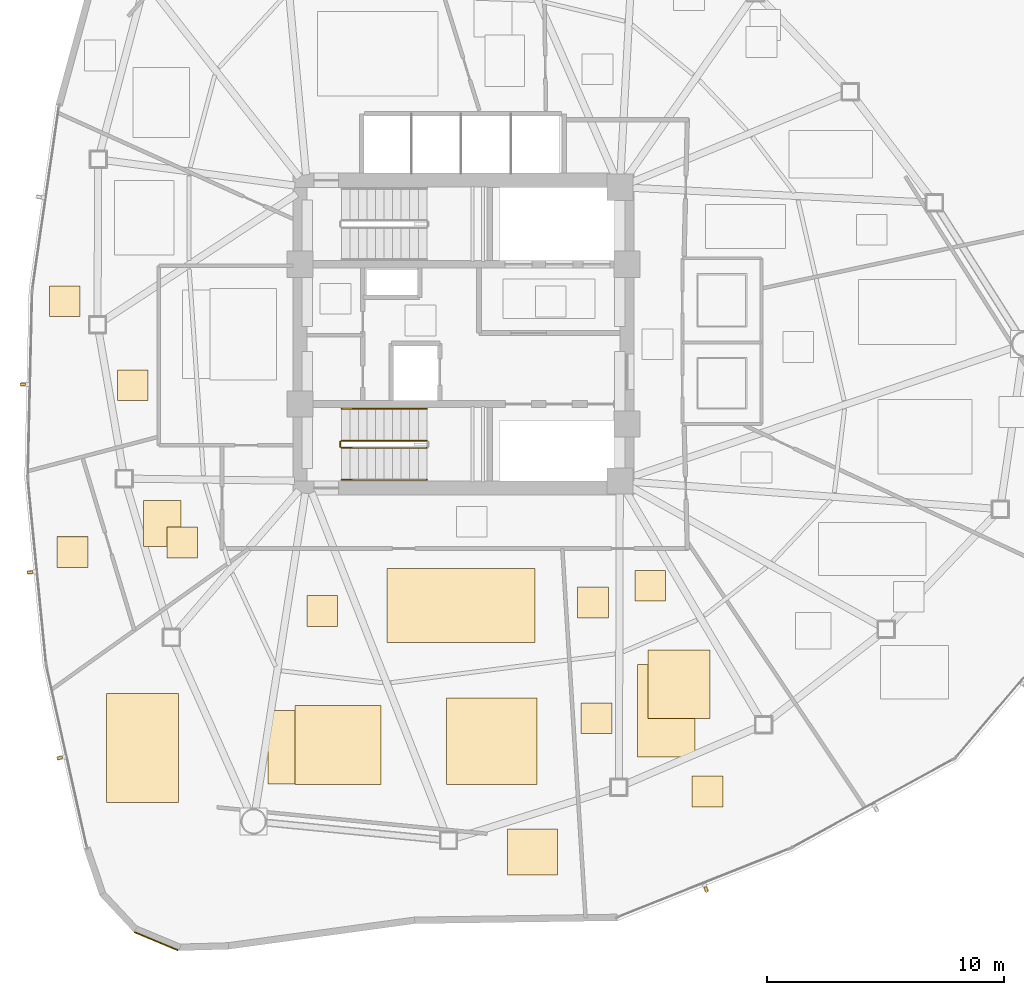
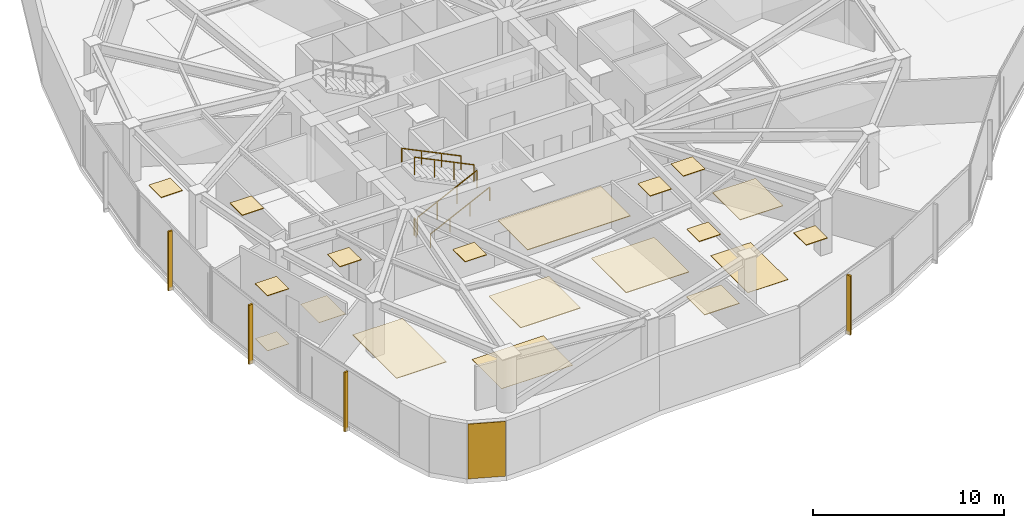
# One storey, part 13 of 16: 20 coverings, 5 railings, 4 shading devices.
"""IFC4 building model written with IfcOpenShell, lengths in metres."""

from ifc_helpers import new_model, si_unit, direction, frame, origin, origin_2d, place, context, subcontext, project, spatial, polyline, rectangle, outline, extrude, source, transform, mapped, material, layer, layer_set, type_object, type_shapes, element, save


model = new_model("IFC4")

# Units and contexts
model_context = context("Model", 3, precision=1e-05, world=origin(), true_north=direction((0.0, 1.0)))
body_context = subcontext(model_context, "Body", "Model", "MODEL_VIEW")
ifc_project = project(units=[si_unit("LENGTHUNIT", "METRE"), si_unit("AREAUNIT", "SQUARE_METRE"), si_unit("VOLUMEUNIT", "CUBIC_METRE"), si_unit("PLANEANGLEUNIT", "RADIAN"), si_unit("MASSUNIT", "GRAM", prefix="KILO")], contexts=[model_context])

# Site, building, storey
site_placement = place(None, origin())
site = spatial("IfcSite", under=ifc_project, at=site_placement, CompositionType="ELEMENT")
building_placement = place(site_placement, origin())
building = spatial("IfcBuilding", under=site, at=building_placement, Name="Tavelor Broadcast Tower", CompositionType="ELEMENT")
storey_placement = place(building_placement, frame((0.0, 0.0, 138.699951171875)))
storey = spatial("IfcBuildingStorey", under=building, at=storey_placement, Name="L32", CompositionType="ELEMENT", Elevation=138.699951171875)

# Covering
ifc_material_1 = material(Name="Copper-Bronze Anodized Aluminium", Category="aluminium")
ifc_layer_1 = layer(ifc_material_1, 0.050048828125)
ifc_layer_set_1 = layer_set([ifc_layer_1], Name="Copper-Bronze Anodized Aluminium")
covering_type_1 = type_object("IfcCoveringType", Name="Champagne-Bronze Corner Pier Metal Cladding 50 mm", PredefinedType="CLADDING", material=ifc_layer_set_1)
covering_1_placement = place(storey_placement, frame((37.025146484375, 19.365966796875, 0.02001953125), z_axis=(0.0, 0.0, 1.0), x_axis=(0.922874504689, -0.385100829128, 0.0)))
element("IfcCovering", 1, at=covering_1_placement, inside=storey, type_object=covering_type_1, Name="L32 Champagne-Bronze Corner Cladding 13", PredefinedType="CLADDING", context=body_context, shape_type="SweptSolid", body=[
    extrude(rectangle(XDim=1.985107421875, YDim=0.050048828125, at=origin_2d()), origin(), (0.0, 0.0, 1.0), 3.510009765625),
])

# Railings
ifc_material_2 = material(Name="Steel S355", Category="steel")
railing_type_1 = type_object("IfcRailingType", Name="Continuous Brushed Stainless Handrail 900 mm", PredefinedType="HANDRAIL", material=ifc_material_2)
railing_1_placement = place(storey_placement, frame((44.85009765625, 38.85009765625, 0.175048828125)))
element("IfcRailing", 2, at=railing_1_placement, inside=storey, type_object=railing_type_1, Name="L32 ST2 stair handrail 1", PredefinedType="HANDRAIL", context=body_context, shape_type="SweptSolid", body=[
    extrude(rectangle(XDim=0.048095703125, YDim=0.048095703125, at=origin_2d()), frame((0.0, 0.0, 0.8759765625), z_axis=(0.899360859046, 0.0, 0.437207096483), x_axis=(0.0, 1.0, 0.0)), (0.0, 0.0, 1.0), 4.002685546875),
    extrude(rectangle(XDim=0.0419921875, YDim=0.0419921875, at=origin_2d()), origin(), (0.0, 0.0, 1.0), 0.851806640625),
    extrude(rectangle(XDim=0.0419921875, YDim=0.0419921875, at=origin_2d()), frame((1.199951171875, 0.0, 0.583251953125)), (0.0, 0.0, 1.0), 0.851806640625),
    extrude(rectangle(XDim=0.0419921875, YDim=0.0419921875, at=origin_2d()), frame((2.39990234375, 0.0, 1.166748046875)), (0.0, 0.0, 1.0), 0.851806640625),
    extrude(rectangle(XDim=0.0419921875, YDim=0.0419921875, at=origin_2d()), frame((3.599853515625, 0.0, 1.75)), (0.0, 0.0, 1.0), 0.851806640625),
])
railing_2_placement = place(storey_placement, frame((48.449951171875, 41.85009765625, 2.10009765625)))
element("IfcRailing", 3, at=railing_2_placement, inside=storey, type_object=railing_type_1, Name="L32 ST2 stair handrail 2", PredefinedType="HANDRAIL", context=body_context, shape_type="SweptSolid", body=[
    extrude(rectangle(XDim=0.048095703125, YDim=0.048095703125, at=origin_2d()), frame((0.0, 0.0, 0.8759765625), z_axis=(-0.899360859046, 0.0, 0.437207096483), x_axis=(0.0, -1.0, 0.0)), (0.0, 0.0, 1.0), 4.002685546875),
    extrude(rectangle(XDim=0.0419921875, YDim=0.0419921875, at=origin_2d()), origin(), (0.0, 0.0, 1.0), 0.851806640625),
    extrude(rectangle(XDim=0.0419921875, YDim=0.0419921875, at=origin_2d()), frame((-1.199951171875, 0.0, 0.583251953125)), (0.0, 0.0, 1.0), 0.851806640625),
    extrude(rectangle(XDim=0.0419921875, YDim=0.0419921875, at=origin_2d()), frame((-2.39990234375, 0.0, 1.166748046875)), (0.0, 0.0, 1.0), 0.851806640625),
    extrude(rectangle(XDim=0.0419921875, YDim=0.0419921875, at=origin_2d()), frame((-3.599853515625, 0.0, 1.75)), (0.0, 0.0, 1.0), 0.851806640625),
])

# Coverings
ifc_material_3 = material(Name="Acoustic Nylon Carpet Tile")
ifc_layer_2 = layer(ifc_material_3, 0.02001953125)
ifc_layer_set_2 = layer_set([ifc_layer_2], Name="Acoustic Nylon Carpet Tile")
covering_type_2 = type_object("IfcCoveringType", Name="Heavy-Duty Acoustic Broadcast Carpet Tile 20 mm", PredefinedType="FLOORING", material=ifc_layer_set_2)
covering_2_placement = place(storey_placement, origin())
element("IfcCovering", 4, at=covering_2_placement, inside=storey, type_object=covering_type_2, Name="L32 Broadcast Floor Finish 0454", PredefinedType="FLOORING", context=body_context, shape_type="SweptSolid", body=[
    extrude(outline(polyline([(57.34228515625, 27.146240234375), (59.770263671875, 27.146240234375), (59.770263671875, 31.05419921875), (57.34228515625, 31.05419921875), (57.34228515625, 27.146240234375)])), origin(), (0.0, 0.0, 1.0), 0.02001953125),
])
covering_3_placement = place(storey_placement, origin())
element("IfcCovering", 5, at=covering_3_placement, inside=storey, type_object=covering_type_2, Name="L32 Broadcast Floor Finish 0455", PredefinedType="FLOORING", context=body_context, shape_type="SweptSolid", body=[
    extrude(outline(polyline([(41.755859375, 25.99462890625), (46.07421875, 25.99462890625), (46.07421875, 29.103759765625), (41.755859375, 29.103759765625), (41.755859375, 25.99462890625)])), origin(), (0.0, 0.0, 1.0), 0.02001953125),
])
covering_4_placement = place(storey_placement, origin())
element("IfcCovering", 6, at=covering_4_placement, inside=storey, type_object=covering_type_2, Name="L32 Broadcast Floor Finish 0456", PredefinedType="FLOORING", context=body_context, shape_type="SweptSolid", body=[
    extrude(outline(polyline([(32.839599609375, 35.138427734375), (34.1396484375, 35.138427734375), (34.1396484375, 36.4384765625), (32.839599609375, 36.4384765625), (32.839599609375, 35.138427734375)])), origin(), (0.0, 0.0, 1.0), 0.02001953125),
])
covering_5_placement = place(storey_placement, origin())
element("IfcCovering", 7, at=covering_5_placement, inside=storey, type_object=covering_type_2, Name="L32 Broadcast Floor Finish 0461", PredefinedType="FLOORING", context=body_context, shape_type="SweptSolid", body=[
    extrude(outline(polyline([(36.478515625, 36.023681640625), (38.074951171875, 36.023681640625), (38.074951171875, 37.97216796875), (36.478515625, 37.97216796875), (36.478515625, 36.023681640625)])), origin(), (0.0, 0.0, 1.0), 0.02001953125),
])

# Railings
railing_type_2 = type_object("IfcRailingType", Name="Stairwell Steel Safety Guardrail 1150 mm", PredefinedType="GUARDRAIL", material=ifc_material_2)
railing_3_placement = place(storey_placement, frame((44.85009765625, 40.199951171875, 0.175048828125)))
element("IfcRailing", 8, at=railing_3_placement, inside=storey, type_object=railing_type_2, Name="L32 ST2 stair guard 1", PredefinedType="GUARDRAIL", context=body_context, shape_type="SweptSolid", body=[
    extrude(rectangle(XDim=0.048095703125, YDim=0.048095703125, at=origin_2d()), frame((0.0, 0.0, 1.1259765625), z_axis=(0.899360859046, 0.0, 0.437207096483), x_axis=(0.0, 1.0, 0.0)), (0.0, 0.0, 1.0), 4.002685546875),
    extrude(rectangle(XDim=0.0419921875, YDim=0.0419921875, at=origin_2d()), origin(), (0.0, 0.0, 1.0), 1.101806640625),
    extrude(rectangle(XDim=0.0419921875, YDim=0.0419921875, at=origin_2d()), frame((1.199951171875, 0.0, 0.583251953125)), (0.0, 0.0, 1.0), 1.101806640625),
    extrude(rectangle(XDim=0.0419921875, YDim=0.0419921875, at=origin_2d()), frame((2.39990234375, 0.0, 1.166748046875)), (0.0, 0.0, 1.0), 1.101806640625),
    extrude(rectangle(XDim=0.0419921875, YDim=0.0419921875, at=origin_2d()), frame((3.599853515625, 0.0, 1.75)), (0.0, 0.0, 1.0), 1.101806640625),
])
railing_4_placement = place(storey_placement, frame((48.449951171875, 40.5, 2.10009765625)))
element("IfcRailing", 9, at=railing_4_placement, inside=storey, type_object=railing_type_2, Name="L32 ST2 stair guard 3", PredefinedType="GUARDRAIL", context=body_context, shape_type="SweptSolid", body=[
    extrude(rectangle(XDim=0.048095703125, YDim=0.048095703125, at=origin_2d()), frame((0.0, 0.0, 1.1259765625), z_axis=(-0.899360859046, 0.0, 0.437207096483), x_axis=(0.0, -1.0, 0.0)), (0.0, 0.0, 1.0), 4.002685546875),
    extrude(rectangle(XDim=0.0419921875, YDim=0.0419921875, at=origin_2d()), origin(), (0.0, 0.0, 1.0), 1.101806640625),
    extrude(rectangle(XDim=0.0419921875, YDim=0.0419921875, at=origin_2d()), frame((-1.199951171875, 0.0, 0.583251953125)), (0.0, 0.0, 1.0), 1.101806640625),
    extrude(rectangle(XDim=0.0419921875, YDim=0.0419921875, at=origin_2d()), frame((-2.39990234375, 0.0, 1.166748046875)), (0.0, 0.0, 1.0), 1.101806640625),
    extrude(rectangle(XDim=0.0419921875, YDim=0.0419921875, at=origin_2d()), frame((-3.599853515625, 0.0, 1.75)), (0.0, 0.0, 1.0), 1.101806640625),
])
railing_5_placement = place(storey_placement, frame((44.800048828125, 40.25, 0.0)))
element("IfcRailing", 10, at=railing_5_placement, inside=storey, type_object=railing_type_2, Name="L32 ST2 stair guard 4", PredefinedType="GUARDRAIL", context=body_context, shape_type="SweptSolid", body=[
    extrude(rectangle(XDim=0.048095703125, YDim=0.048095703125, at=origin_2d()), frame((0.0, 0.0, 1.1259765625), z_axis=(0.0, 1.0, 0.0), x_axis=(-1.0, 0.0, 0.0)), (0.0, 0.0, 1.0), 0.199951171875),
    extrude(rectangle(XDim=0.0419921875, YDim=0.0419921875, at=origin_2d()), origin(), (0.0, 0.0, 1.0), 1.101806640625),
    extrude(rectangle(XDim=0.0419921875, YDim=0.0419921875, at=origin_2d()), frame((0.0, 0.199951171875, 0.0)), (0.0, 0.0, 1.0), 1.101806640625),
])

# Coverings
ifc_material_4 = material(Name="Acoustic Mineral Fibre Tile")
ifc_layer_3 = layer(ifc_material_4, 0.0400390625)
ifc_layer_set_3 = layer_set([ifc_layer_3], Name="Acoustic Mineral Fibre Tile")
covering_type_3 = type_object("IfcCoveringType", Name="Suspended Acoustic Mineral-Fibre Office Ceiling 40 mm", PredefinedType="CEILING", material=ifc_layer_set_3)
covering_6_placement = place(storey_placement, frame((0.0, 0.0, 3.510009765625)))
element("IfcCovering", 11, at=covering_6_placement, inside=storey, type_object=covering_type_3, Name="L32 Suspended Acoustic Ceiling 1297", PredefinedType="CEILING", context=body_context, shape_type="SweptSolid", body=[
    extrude(outline(polyline([(59.65087890625, 25.038330078125), (60.950927734375, 25.038330078125), (60.950927734375, 26.33837890625), (59.65087890625, 26.33837890625), (59.65087890625, 25.038330078125)])), origin(), (0.0, 0.0, 1.0), 0.0400390625),
])
covering_7_placement = place(storey_placement, frame((0.0, 0.0, 3.510009765625)))
element("IfcCovering", 12, at=covering_7_placement, inside=storey, type_object=covering_type_3, Name="L32 Suspended Acoustic Ceiling 1298", PredefinedType="CEILING", context=body_context, shape_type="SweptSolid", body=[
    extrude(outline(polyline([(54.960693359375, 28.1279296875), (56.260498046875, 28.1279296875), (56.260498046875, 29.427978515625), (54.960693359375, 29.427978515625), (54.960693359375, 28.1279296875)])), origin(), (0.0, 0.0, 1.0), 0.0400390625),
])
covering_8_placement = place(storey_placement, frame((0.0, 0.0, 3.510009765625)))
element("IfcCovering", 13, at=covering_8_placement, inside=storey, type_object=covering_type_3, Name="L32 Suspended Acoustic Ceiling 1299", PredefinedType="CEILING", context=body_context, shape_type="SweptSolid", body=[
    extrude(outline(polyline([(54.813720703125, 33.01953125), (56.113525390625, 33.01953125), (56.113525390625, 34.319580078125), (54.813720703125, 34.319580078125), (54.813720703125, 33.01953125)])), origin(), (0.0, 0.0, 1.0), 0.0400390625),
])
covering_9_placement = place(storey_placement, frame((0.0, 0.0, 3.510009765625)))
element("IfcCovering", 14, at=covering_9_placement, inside=storey, type_object=covering_type_3, Name="L32 Suspended Acoustic Ceiling 1300", PredefinedType="CEILING", context=body_context, shape_type="SweptSolid", body=[
    extrude(outline(polyline([(57.23193359375, 33.720703125), (58.531982421875, 33.720703125), (58.531982421875, 35.0205078125), (57.23193359375, 35.0205078125), (57.23193359375, 33.720703125)])), origin(), (0.0, 0.0, 1.0), 0.0400390625),
])
covering_10_placement = place(storey_placement, frame((0.0, 0.0, 3.510009765625)))
element("IfcCovering", 15, at=covering_10_placement, inside=storey, type_object=covering_type_3, Name="L32 Suspended Acoustic Ceiling 1301", PredefinedType="CEILING", context=body_context, shape_type="SweptSolid", body=[
    extrude(outline(polyline([(57.797607421875, 28.764892578125), (60.40673828125, 28.764892578125), (60.40673828125, 31.652099609375), (57.797607421875, 31.652099609375), (57.797607421875, 28.764892578125)])), origin(), (0.0, 0.0, 1.0), 0.0400390625),
])
covering_11_placement = place(storey_placement, frame((0.0, 0.0, 3.510009765625)))
element("IfcCovering", 16, at=covering_11_placement, inside=storey, type_object=covering_type_3, Name="L32 Suspended Acoustic Ceiling 1302", PredefinedType="CEILING", context=body_context, shape_type="SweptSolid", body=[
    extrude(outline(polyline([(34.9345703125, 25.22509765625), (37.95947265625, 25.22509765625), (37.95947265625, 29.8203125), (34.9345703125, 29.8203125), (34.9345703125, 25.22509765625)])), origin(), (0.0, 0.0, 1.0), 0.0400390625),
])
covering_12_placement = place(storey_placement, frame((0.0, 0.0, 3.510009765625)))
element("IfcCovering", 17, at=covering_12_placement, inside=storey, type_object=covering_type_3, Name="L32 Suspended Acoustic Ceiling 1303", PredefinedType="CEILING", context=body_context, shape_type="SweptSolid", body=[
    extrude(outline(polyline([(43.39013671875, 32.662353515625), (44.690185546875, 32.662353515625), (44.690185546875, 33.96240234375), (43.39013671875, 33.96240234375), (43.39013671875, 32.662353515625)])), origin(), (0.0, 0.0, 1.0), 0.0400390625),
])
covering_13_placement = place(storey_placement, frame((0.0, 0.0, 3.510009765625)))
element("IfcCovering", 18, at=covering_13_placement, inside=storey, type_object=covering_type_3, Name="L32 Suspended Acoustic Ceiling 1304", PredefinedType="CEILING", context=body_context, shape_type="SweptSolid", body=[
    extrude(outline(polyline([(46.772216796875, 31.96875), (53.010498046875, 31.96875), (53.010498046875, 35.09521484375), (46.772216796875, 35.09521484375), (46.772216796875, 31.96875)])), origin(), (0.0, 0.0, 1.0), 0.0400390625),
])
covering_14_placement = place(storey_placement, frame((0.0, 0.0, 3.510009765625)))
element("IfcCovering", 19, at=covering_14_placement, inside=storey, type_object=covering_type_3, Name="L32 Suspended Acoustic Ceiling 1305", PredefinedType="CEILING", context=body_context, shape_type="SweptSolid", body=[
    extrude(outline(polyline([(49.29248046875, 25.986083984375), (53.099365234375, 25.986083984375), (53.099365234375, 29.63671875), (49.29248046875, 29.63671875), (49.29248046875, 25.986083984375)])), origin(), (0.0, 0.0, 1.0), 0.0400390625),
])
covering_15_placement = place(storey_placement, frame((0.0, 0.0, 3.510009765625)))
element("IfcCovering", 20, at=covering_15_placement, inside=storey, type_object=covering_type_3, Name="L32 Suspended Acoustic Ceiling 1306", PredefinedType="CEILING", context=body_context, shape_type="SweptSolid", body=[
    extrude(outline(polyline([(51.84814453125, 22.16796875), (53.9638671875, 22.16796875), (53.9638671875, 24.096923828125), (51.84814453125, 24.096923828125), (51.84814453125, 22.16796875)])), origin(), (0.0, 0.0, 1.0), 0.0400390625),
])
covering_16_placement = place(storey_placement, frame((0.0, 0.0, 3.510009765625)))
element("IfcCovering", 21, at=covering_16_placement, inside=storey, type_object=covering_type_3, Name="L32 Suspended Acoustic Ceiling 1307", PredefinedType="CEILING", context=body_context, shape_type="SweptSolid", body=[
    extrude(outline(polyline([(42.89306640625, 25.97314453125), (46.523193359375, 25.97314453125), (46.523193359375, 29.3203125), (42.89306640625, 29.3203125), (42.89306640625, 25.97314453125)])), origin(), (0.0, 0.0, 1.0), 0.0400390625),
])
covering_17_placement = place(storey_placement, frame((0.0, 0.0, 3.510009765625)))
element("IfcCovering", 22, at=covering_17_placement, inside=storey, type_object=covering_type_3, Name="L32 Suspended Acoustic Ceiling 1308", PredefinedType="CEILING", context=body_context, shape_type="SweptSolid", body=[
    extrude(outline(polyline([(32.840576171875, 35.15380859375), (34.140380859375, 35.15380859375), (34.140380859375, 36.45361328125), (32.840576171875, 36.45361328125), (32.840576171875, 35.15380859375)])), origin(), (0.0, 0.0, 1.0), 0.0400390625),
])
covering_18_placement = place(storey_placement, frame((0.0, 0.0, 3.510009765625)))
element("IfcCovering", 23, at=covering_18_placement, inside=storey, type_object=covering_type_3, Name="L32 Suspended Acoustic Ceiling 1309", PredefinedType="CEILING", context=body_context, shape_type="SweptSolid", body=[
    extrude(outline(polyline([(32.509521484375, 45.73291015625), (33.809326171875, 45.73291015625), (33.809326171875, 47.032958984375), (32.509521484375, 47.032958984375), (32.509521484375, 45.73291015625)])), origin(), (0.0, 0.0, 1.0), 0.0400390625),
])
covering_19_placement = place(storey_placement, frame((0.0, 0.0, 3.510009765625)))
element("IfcCovering", 24, at=covering_19_placement, inside=storey, type_object=covering_type_3, Name="L32 Suspended Acoustic Ceiling 1311", PredefinedType="CEILING", context=body_context, shape_type="SweptSolid", body=[
    extrude(outline(polyline([(35.3818359375, 42.193115234375), (36.681884765625, 42.193115234375), (36.681884765625, 43.4931640625), (35.3818359375, 43.4931640625), (35.3818359375, 42.193115234375)])), origin(), (0.0, 0.0, 1.0), 0.0400390625),
])
covering_20_placement = place(storey_placement, frame((0.0, 0.0, 3.510009765625)))
element("IfcCovering", 25, at=covering_20_placement, inside=storey, type_object=covering_type_3, Name="L32 Suspended Acoustic Ceiling 1333", PredefinedType="CEILING", context=body_context, shape_type="SweptSolid", body=[
    extrude(outline(polyline([(37.4755859375, 35.554443359375), (38.775634765625, 35.554443359375), (38.775634765625, 36.8544921875), (37.4755859375, 36.8544921875), (37.4755859375, 35.554443359375)])), origin(), (0.0, 0.0, 1.0), 0.0400390625),
])

# Shading devices
ifc_material_5 = material(Name="Kiln-Fired Glazed Terracotta", Category="masonry")
shading_device_type = type_object("IfcShadingDeviceType", Name="Extruded Terracotta Baguette Sun-Screen 110x240", PredefinedType="JALOUSIE", material=ifc_material_5)
shared_shape = source(origin(), body_context, "Body", "SweptSolid", [
    extrude(rectangle(XDim=0.110107421875, YDim=0.239990234375, at=origin_2d()), origin(), (0.0, 0.0, 1.0), 3.7900390625),
])
type_shapes(shading_device_type, [shared_shape])
for number, where, z_axis, x_axis, name in (
    (26, (31.395263671875, 42.880126953125, -0.260009765625), (0.0, 0.0, 1.0), (-0.023036308188, -0.999734629042, 0.0), "L32 Terracotta Baguette Fin 314"),
    (27, (31.693115234375, 34.944580078125, -0.260009765625), (0.0, 0.0, 1.0), (0.098103986207, -0.995176169274, 0.0), "L32 Terracotta Baguette Fin 315"),
    (28, (32.94921875, 27.103515625, -0.260009765625), (0.0, 0.0, 1.0), (0.217802568899, -0.975992848837, 0.0), "L32 Terracotta Baguette Fin 316"),
    (29, (60.247314453125, 21.548828125, -0.260009765625), (0.0, 0.0, 1.0), (0.929003448964, 0.370071063192, 0.0), "L32 Terracotta Baguette Fin 317"),
):
    element("IfcShadingDevice", number, at=place(storey_placement, frame(where, z_axis=z_axis, x_axis=x_axis)), inside=storey, type_object=shading_device_type, Name=name, PredefinedType="JALOUSIE", context=body_context, shape_type="MappedRepresentation", body=[
        mapped(shared_shape, transform((0.0, 0.0, 0.0), scale=1.0)),
    ])

save(model, "model.ifc")
